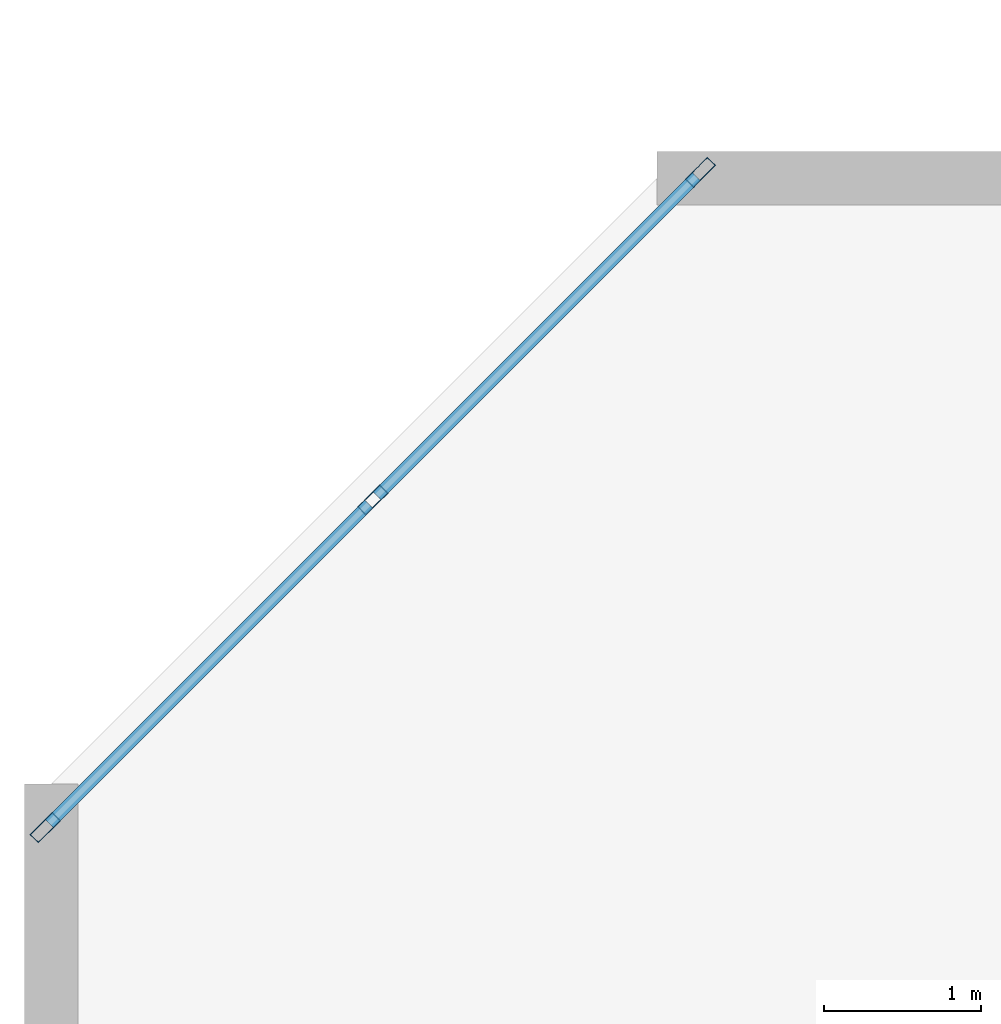
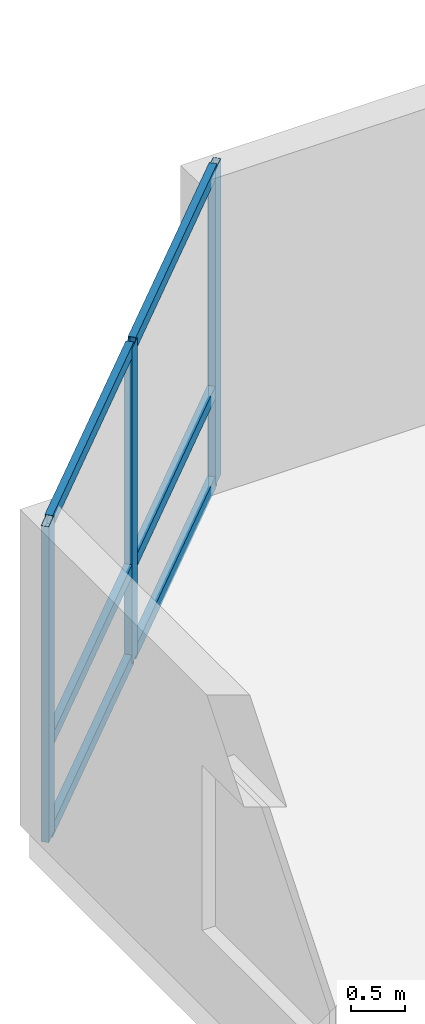
# One storey, part 3 of 11: 9 members, 1 element without a shape of its own.
"""IFC4 building model written with IfcOpenShell, lengths in metres."""

from ifc_helpers import new_model, si_unit, direction, frame, origin, origin_2d, place, context, subcontext, project, spatial, hollow_rectangle, extrude, material, layer, layer_set, material_profile, profile_set, type_object, element, aggregate, save


model = new_model("IFC4")

# Units and contexts
model_context = context("Model", 3, precision=1e-05, world=origin(), true_north=direction((0.0, 1.0)))
body_context = subcontext(model_context, "Body", "Model", "MODEL_VIEW")
ifc_project = project(units=[si_unit("LENGTHUNIT", "METRE"), si_unit("AREAUNIT", "SQUARE_METRE"), si_unit("VOLUMEUNIT", "CUBIC_METRE"), si_unit("PLANEANGLEUNIT", "RADIAN"), si_unit("MASSUNIT", "GRAM", prefix="KILO")], contexts=[model_context])

# Site, building, storey
site_placement = place(None, origin())
site = spatial("IfcSite", under=ifc_project, at=site_placement, CompositionType="ELEMENT")
building_placement = place(site_placement, origin())
building = spatial("IfcBuilding", under=site, at=building_placement, Name="Kestravale Grand Hotel", CompositionType="ELEMENT")
storey_placement = place(building_placement, frame((0.0, 0.0, 29.800048828125)))
storey = spatial("IfcBuildingStorey", under=building, at=storey_placement, Name="L06", CompositionType="ELEMENT", Elevation=29.800048828125)

# Curtain wall, members
ifc_material_1 = material(Name="Thermally broken champagne-bronze aluminium and low-E glazing", Category="aluminium")
ifc_layer = layer(ifc_material_1, 0.199951171875)
ifc_layer_set = layer_set([ifc_layer], Name="CW-Z1")
curtain_wall_type = type_object("IfcCurtainWallType", Name="CW-Z1", PredefinedType="NOTDEFINED", material=ifc_layer_set)
curtain_wall_placement = place(storey_placement, origin())
curtain_wall = element("IfcCurtainWall", 1, at=curtain_wall_placement, inside=storey, type_object=curtain_wall_type, Name="L06 unitised curtain wall 18", PredefinedType="NOTDEFINED")
ifc_material_2 = material(Name="Aluminium 6063-T6 anodised", Category="aluminium")
ifc_material_profile_1 = material_profile(ifc_material_2, hollow_rectangle(XDim=0.074951171875, YDim=0.199951171875, WallThickness=0.00390625, at=origin_2d()))
ifc_profile_set_1 = profile_set([ifc_material_profile_1], Name="Aluminium 6063-T6 anodised")
member_type_1 = type_object("IfcMemberType", Name="CW-MUL-200", PredefinedType="MULLION", material=ifc_profile_set_1)
member_1_placement = place(storey_placement, frame((6.707763671875, 46.0673828125, 0.0), z_axis=(0.0, 0.0, 1.0), x_axis=(0.707106781187, -0.707106781187, 0.0)))
member_1 = element("IfcMember", 2, at=member_1_placement, type_object=member_type_1, Name="CW-Z1 mullion 1", PredefinedType="MULLION", context=body_context, shape_type="SweptSolid", body=[
    extrude(hollow_rectangle(XDim=0.074951171875, YDim=0.199951171875, WallThickness=0.00390625, at=origin_2d()), origin(), (0.0, 0.0, 1.0), 3.5400390625),
])
member_2_placement = place(storey_placement, frame((4.6201171875, 43.979736328125, 0.0), z_axis=(0.0, 0.0, 1.0), x_axis=(0.707106781187, -0.707106781187, 0.0)))
member_2 = element("IfcMember", 3, at=member_2_placement, type_object=member_type_1, Name="CW-Z1 mullion 2", PredefinedType="MULLION", context=body_context, shape_type="SweptSolid", body=[
    extrude(hollow_rectangle(XDim=0.074951171875, YDim=0.199951171875, WallThickness=0.00390625, at=origin_2d()), origin(), (0.0, 0.0, 1.0), 3.5400390625),
])
member_3_placement = place(storey_placement, frame((2.532470703125, 41.89208984375, 0.0), z_axis=(0.0, 0.0, 1.0), x_axis=(0.707106781187, -0.707106781187, 0.0)))
member_3 = element("IfcMember", 4, at=member_3_placement, type_object=member_type_1, Name="CW-Z1 mullion 3", PredefinedType="MULLION", context=body_context, shape_type="SweptSolid", body=[
    extrude(hollow_rectangle(XDim=0.074951171875, YDim=0.199951171875, WallThickness=0.00390625, at=origin_2d()), origin(), (0.0, 0.0, 1.0), 3.5400390625),
])
ifc_material_3 = material(Name="Aluminium 6063-T6 anodised", Category="aluminium")
ifc_material_profile_2 = material_profile(ifc_material_3, hollow_rectangle(XDim=0.074951171875, YDim=0.139892578125, WallThickness=0.00341796875, at=origin_2d()))
ifc_profile_set_2 = profile_set([ifc_material_profile_2], Name="Aluminium 6063-T6 anodised")
member_type_2 = type_object("IfcMemberType", Name="CW-TRN-140", PredefinedType="USERDEFINED", material=ifc_profile_set_2)
member_4_placement = place(storey_placement, frame((6.681396484375, 46.041015625, 0.037353515625), z_axis=(-0.707106781187, -0.707106781187, 0.0), x_axis=(0.707106781187, -0.707106781187, 0.0)))
member_4 = element("IfcMember", 5, at=member_4_placement, type_object=member_type_2, Name="CW-Z1 transom 1.1", ObjectType="TRANSOM", PredefinedType="USERDEFINED", context=body_context, shape_type="SweptSolid", body=[
    extrude(hollow_rectangle(XDim=0.074951171875, YDim=0.139892578125, WallThickness=0.00341796875, at=origin_2d()), origin(), (0.0, 0.0, 1.0), 2.87744140625),
])
member_5_placement = place(storey_placement, frame((6.681396484375, 46.041015625, 1.050048828125), z_axis=(-0.707106781187, -0.707106781187, 0.0), x_axis=(0.707106781187, -0.707106781187, 0.0)))
member_5 = element("IfcMember", 6, at=member_5_placement, type_object=member_type_2, Name="CW-Z1 transom 1.2", ObjectType="TRANSOM", PredefinedType="USERDEFINED", context=body_context, shape_type="SweptSolid", body=[
    extrude(hollow_rectangle(XDim=0.074951171875, YDim=0.139892578125, WallThickness=0.00341796875, at=origin_2d()), origin(), (0.0, 0.0, 1.0), 2.87744140625),
])
member_6_placement = place(storey_placement, frame((6.681396484375, 46.041015625, 3.50244140625), z_axis=(-0.707106781187, -0.707106781187, 0.0), x_axis=(0.707106781187, -0.707106781187, 0.0)))
member_6 = element("IfcMember", 7, at=member_6_placement, type_object=member_type_2, Name="CW-Z1 transom 1.3", ObjectType="TRANSOM", PredefinedType="USERDEFINED", context=body_context, shape_type="SweptSolid", body=[
    extrude(hollow_rectangle(XDim=0.074951171875, YDim=0.139892578125, WallThickness=0.00341796875, at=origin_2d()), origin(), (0.0, 0.0, 1.0), 2.87744140625),
])
member_7_placement = place(storey_placement, frame((4.59375, 43.953369140625, 0.037353515625), z_axis=(-0.707106781187, -0.707106781187, 0.0), x_axis=(0.707106781187, -0.707106781187, 0.0)))
member_7 = element("IfcMember", 8, at=member_7_placement, type_object=member_type_2, Name="CW-Z1 transom 2.1", ObjectType="TRANSOM", PredefinedType="USERDEFINED", context=body_context, shape_type="SweptSolid", body=[
    extrude(hollow_rectangle(XDim=0.074951171875, YDim=0.139892578125, WallThickness=0.00341796875, at=origin_2d()), origin(), (0.0, 0.0, 1.0), 2.87744140625),
])
member_8_placement = place(storey_placement, frame((4.59375, 43.953369140625, 1.050048828125), z_axis=(-0.707106781187, -0.707106781187, 0.0), x_axis=(0.707106781187, -0.707106781187, 0.0)))
member_8 = element("IfcMember", 9, at=member_8_placement, type_object=member_type_2, Name="CW-Z1 transom 2.2", ObjectType="TRANSOM", PredefinedType="USERDEFINED", context=body_context, shape_type="SweptSolid", body=[
    extrude(hollow_rectangle(XDim=0.074951171875, YDim=0.139892578125, WallThickness=0.00341796875, at=origin_2d()), origin(), (0.0, 0.0, 1.0), 2.87744140625),
])
member_9_placement = place(storey_placement, frame((4.59375, 43.953369140625, 3.50244140625), z_axis=(-0.707106781187, -0.707106781187, 0.0), x_axis=(0.707106781187, -0.707106781187, 0.0)))
member_9 = element("IfcMember", 10, at=member_9_placement, type_object=member_type_2, Name="CW-Z1 transom 2.3", ObjectType="TRANSOM", PredefinedType="USERDEFINED", context=body_context, shape_type="SweptSolid", body=[
    extrude(hollow_rectangle(XDim=0.074951171875, YDim=0.139892578125, WallThickness=0.00341796875, at=origin_2d()), origin(), (0.0, 0.0, 1.0), 2.87744140625),
])
aggregate(curtain_wall, [member_1, member_2, member_3, member_4, member_5, member_6, member_7, member_8, member_9])

save(model, "model.ifc")
